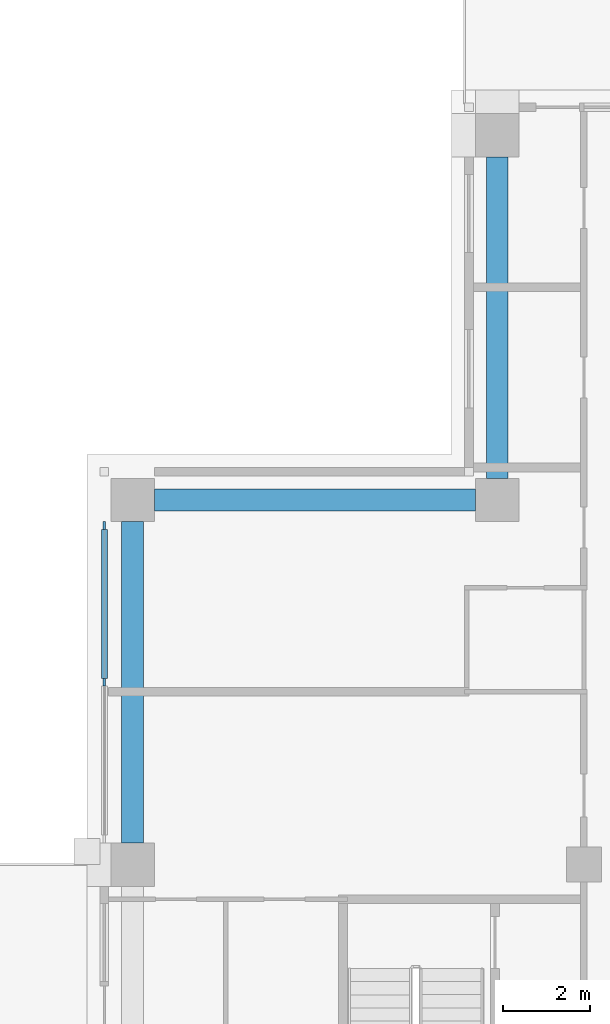
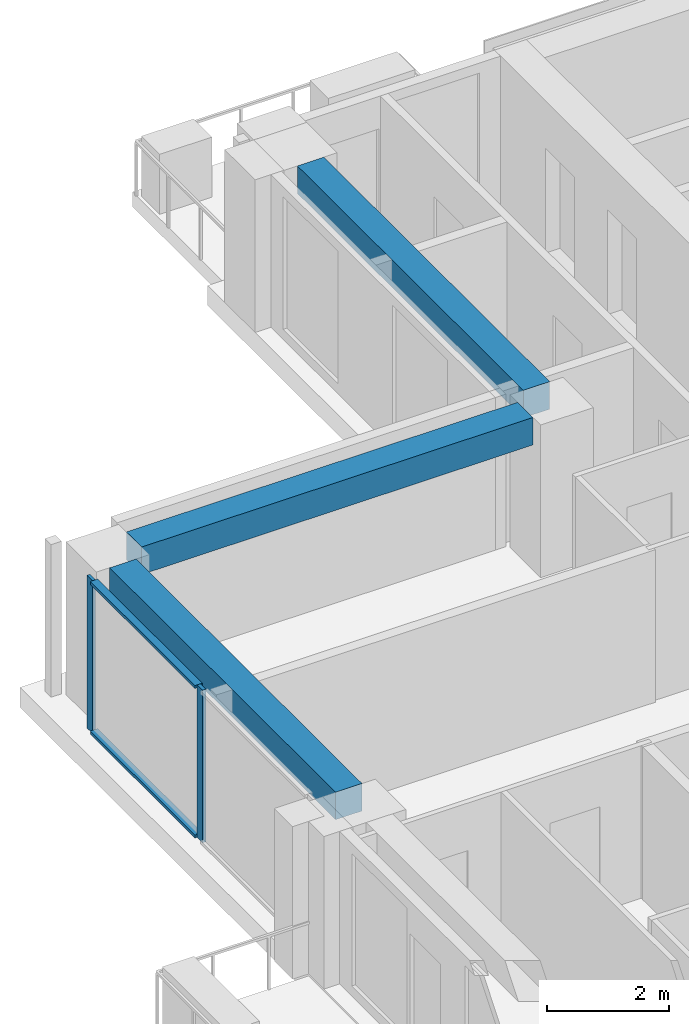
# One storey, part 5 of 17: 4 members, 3 beams, 1 element without a shape of its own.
"""IFC4 building model written with IfcOpenShell, lengths in metres."""

from ifc_helpers import new_model, si_unit, direction, frame, origin, origin_2d, place, context, subcontext, project, spatial, rectangle, extrude, material, material_profile, profile_set, type_object, element, aggregate, save


model = new_model("IFC4")

# Units and contexts
model_context = context("Model", 3, precision=1e-05, world=origin(), true_north=direction((0.0, 1.0)))
body_context = subcontext(model_context, "Body", "Model", "MODEL_VIEW")
ifc_project = project(units=[si_unit("LENGTHUNIT", "METRE"), si_unit("AREAUNIT", "SQUARE_METRE"), si_unit("VOLUMEUNIT", "CUBIC_METRE"), si_unit("PLANEANGLEUNIT", "RADIAN"), si_unit("MASSUNIT", "GRAM", prefix="KILO")], contexts=[model_context])

# Site, building, storey
site_placement = place(None, origin())
site = spatial("IfcSite", under=ifc_project, at=site_placement, CompositionType="ELEMENT")
building_placement = place(site_placement, origin())
building = spatial("IfcBuilding", under=site, at=building_placement, Name="Vermilion Ogive Tower", CompositionType="ELEMENT")
storey_placement = place(building_placement, frame((0.0, 0.0, 203.14990234375)))
storey = spatial("IfcBuildingStorey", under=building, at=storey_placement, Name="L53", CompositionType="ELEMENT", Elevation=203.14990234375)

# Curtain wall, members
ifc_material_1 = material(Name="Low-iron laminated glazing in aluminium frame", Category="aluminium")
curtain_wall_type = type_object("IfcCurtainWallType", Name="Curtain wall CW7", PredefinedType="NOTDEFINED", material=ifc_material_1)
curtain_wall_placement = place(storey_placement, origin())
curtain_wall = element("IfcCurtainWall", 1, at=curtain_wall_placement, inside=storey, type_object=curtain_wall_type, Name="Glazed skin W1", PredefinedType="NOTDEFINED")
ifc_material_2 = material(Name="Aluminium mullion", Category="aluminium")
ifc_material_profile_1 = material_profile(ifc_material_2, rectangle(XDim=0.06005859375, YDim=0.179931640625, at=origin_2d()), Name="AL 60x180")
ifc_profile_set_1 = profile_set([ifc_material_profile_1], Name="Aluminium mullion")
member_type_1 = type_object("IfcMemberType", Name="CW7 mullion 60x180", PredefinedType="MULLION", material=ifc_profile_set_1)
member_1_placement = place(storey_placement, frame((-25.85009765625, 12.010009765625, 0.0), z_axis=(0.0, 0.0, 1.0), x_axis=(1.0, 0.0, 0.0)))
member_1 = element("IfcMember", 2, at=member_1_placement, type_object=member_type_1, Name="CW7-W1 mullion 1", PredefinedType="MULLION", context=body_context, shape_type="SweptSolid", body=[
    extrude(rectangle(XDim=0.06005859375, YDim=0.179931640625, at=origin_2d()), origin(), (0.0, 0.0, 1.0), 3.050048828125),
])
member_2_placement = place(storey_placement, frame((-25.85009765625, 8.39990234375, 0.0), z_axis=(0.0, 0.0, 1.0), x_axis=(1.0, 0.0, 0.0)))
member_2 = element("IfcMember", 3, at=member_2_placement, type_object=member_type_1, Name="CW7-W1 mullion 2", PredefinedType="MULLION", context=body_context, shape_type="SweptSolid", body=[
    extrude(rectangle(XDim=0.06005859375, YDim=0.179931640625, at=origin_2d()), origin(), (0.0, 0.0, 1.0), 3.050048828125),
])
ifc_material_3 = material(Name="Aluminium transom", Category="aluminium")
ifc_material_profile_2 = material_profile(ifc_material_3, rectangle(XDim=0.139892578125, YDim=0.06005859375, at=origin_2d()), Name="AL 60x140")
ifc_profile_set_2 = profile_set([ifc_material_profile_2], Name="Aluminium transom")
member_type_2 = type_object("IfcMemberType", Name="CW7 transom 60x140", PredefinedType="USERDEFINED", material=ifc_profile_set_2)
member_3_placement = place(storey_placement, frame((-25.85009765625, 11.919921875, 0.030029296875), z_axis=(0.0, -1.0, 0.0), x_axis=(1.0, 0.0, 0.0)))
member_3 = element("IfcMember", 4, at=member_3_placement, type_object=member_type_2, Name="CW7-W1 transom 1.1", ObjectType="TRANSOM", PredefinedType="USERDEFINED", context=body_context, shape_type="SweptSolid", body=[
    extrude(rectangle(XDim=0.139892578125, YDim=0.06005859375, at=origin_2d()), origin(), (0.0, 0.0, 1.0), 3.429931640625),
])
member_4_placement = place(storey_placement, frame((-25.85009765625, 11.919921875, 3.02001953125), z_axis=(0.0, -1.0, 0.0), x_axis=(1.0, 0.0, 0.0)))
member_4 = element("IfcMember", 5, at=member_4_placement, type_object=member_type_2, Name="CW7-W1 transom 1.2", ObjectType="TRANSOM", PredefinedType="USERDEFINED", context=body_context, shape_type="SweptSolid", body=[
    extrude(rectangle(XDim=0.139892578125, YDim=0.06005859375, at=origin_2d()), origin(), (0.0, 0.0, 1.0), 3.429931640625),
])
aggregate(curtain_wall, [member_1, member_2, member_3, member_4])

# Beams
ifc_material_4 = material(Name="Concrete B45", Category="concrete")
ifc_material_profile_3 = material_profile(ifc_material_4, rectangle(XDim=0.5, YDim=0.550048828125, at=origin_2d()), Name="500 x 550")
ifc_profile_set_3 = profile_set([ifc_material_profile_3], Name="Concrete B45")
beam_type = type_object("IfcBeamType", Name="Edge beam 500 x 550 B45", PredefinedType="BEAM", material=ifc_profile_set_3)
for number, where, z_axis, x_axis, name in (
    (6, (-16.800048828125, 20.5, 2.775146484375), (0.0, -1.0, 0.0), (1.0, 0.0, 0.0), "L53-EB-12"),
    (7, (-17.300048828125, 12.60009765625, 2.775146484375), (-1.0, 0.0, 0.0), (0.0, -1.0, 0.0), "L53-EB-13"),
):
    element("IfcBeam", number, at=place(storey_placement, frame(where, z_axis=z_axis, x_axis=x_axis)), inside=storey, type_object=beam_type, Name=name, PredefinedType="BEAM", context=body_context, shape_type="SweptSolid", body=[
        extrude(rectangle(XDim=0.5, YDim=0.550048828125, at=origin_2d()), origin(), (0.0, 0.0, 1.0), 7.39990234375),
    ])
beam_placement = place(storey_placement, frame((-25.199951171875, 12.10009765625, 2.775146484375), z_axis=(0.0, -1.0, 0.0), x_axis=(1.0, 0.0, 0.0)))
element("IfcBeam", 8, at=beam_placement, inside=storey, type_object=beam_type, Name="L53-EB-14", PredefinedType="BEAM", context=body_context, shape_type="SweptSolid", body=[
    extrude(rectangle(XDim=0.5, YDim=0.550048828125, at=origin_2d()), origin(), (0.0, 0.0, 1.0), 7.400146484375),
])

save(model, "model.ifc")
